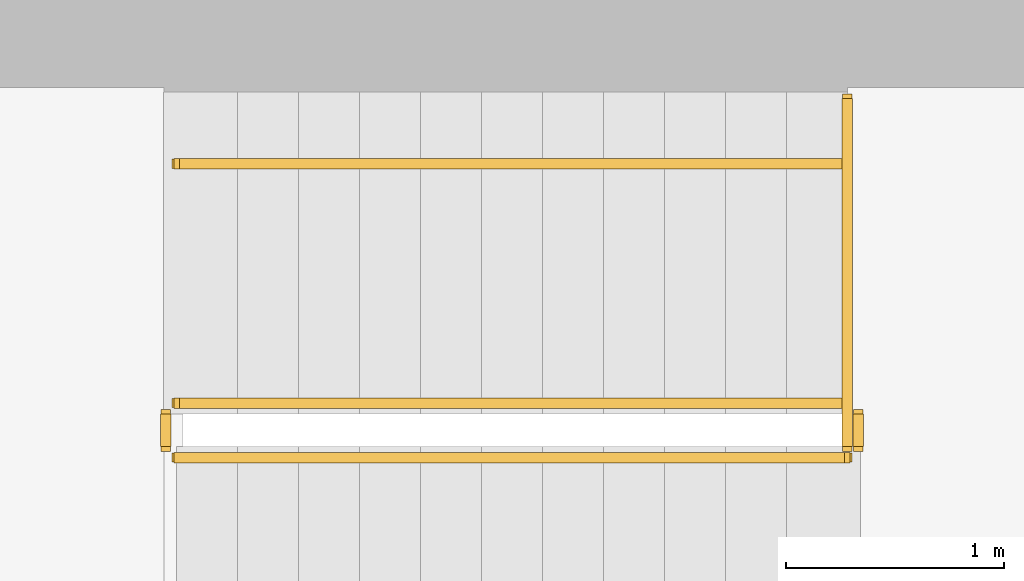
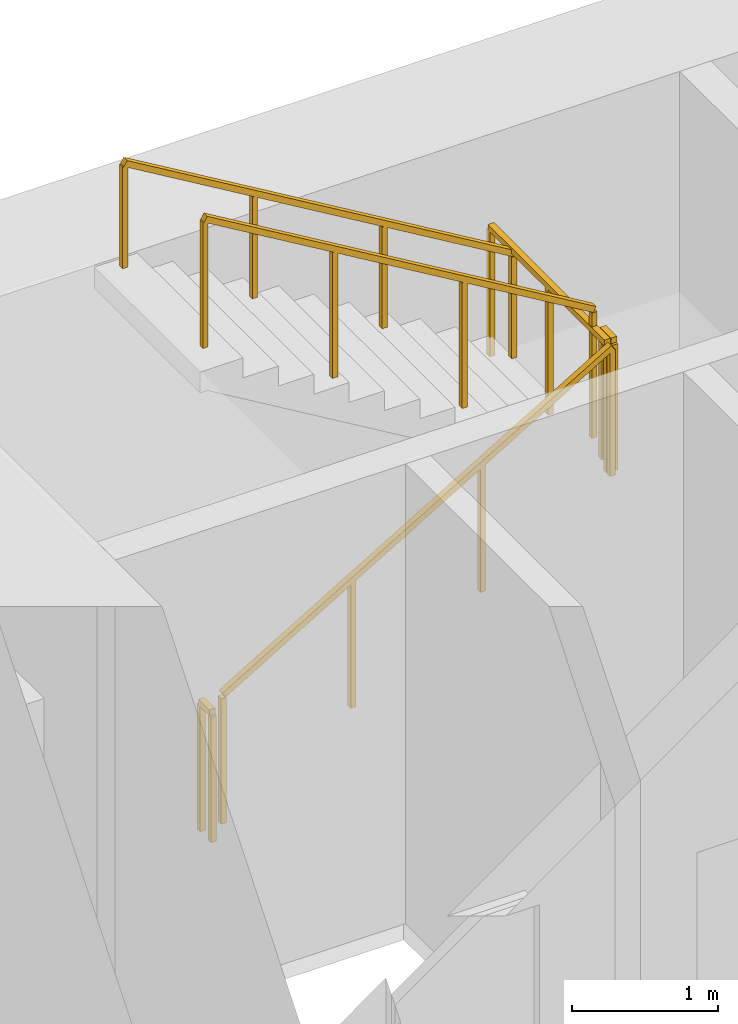
# One storey, part 16 of 17: 6 railings.
"""IFC4 building model written with IfcOpenShell, lengths in metres."""

from ifc_helpers import new_model, si_unit, direction, frame, origin, origin_2d, place, context, subcontext, project, spatial, rectangle, extrude, material, type_object, element, save


model = new_model("IFC4")

# Units and contexts
model_context = context("Model", 3, precision=1e-05, world=origin(), true_north=direction((0.0, 1.0)))
body_context = subcontext(model_context, "Body", "Model", "MODEL_VIEW")
ifc_project = project(units=[si_unit("LENGTHUNIT", "METRE"), si_unit("AREAUNIT", "SQUARE_METRE"), si_unit("VOLUMEUNIT", "CUBIC_METRE"), si_unit("PLANEANGLEUNIT", "RADIAN"), si_unit("MASSUNIT", "GRAM", prefix="KILO")], contexts=[model_context])

# Site, building, storey
site_placement = place(None, origin())
site = spatial("IfcSite", under=ifc_project, at=site_placement, CompositionType="ELEMENT")
building_placement = place(site_placement, origin())
building = spatial("IfcBuilding", under=site, at=building_placement, Name="Sennacour Bend Tower", CompositionType="ELEMENT")
storey_placement = place(building_placement, frame((0.0, 0.0, 203.0)))
storey = spatial("IfcBuildingStorey", under=building, at=storey_placement, Name="L46", CompositionType="ELEMENT", Elevation=203.0)

# Railings
ifc_material = material(Name="Stainless steel", Category="steel")
railing_type_1 = type_object("IfcRailingType", Name="RL-GUARD-1100", PredefinedType="GUARDRAIL", material=ifc_material)
railing_1_placement = place(storey_placement, frame((56.699951171875, 19.85009765625, 0.166748046875)))
element("IfcRailing", 1, at=railing_1_placement, inside=storey, type_object=railing_type_1, Name="L46 SA2 stair guard 1", PredefinedType="GUARDRAIL", context=body_context, shape_type="SweptSolid", body=[
    extrude(rectangle(XDim=0.048095703125, YDim=0.048095703125, at=origin_2d()), frame((0.0, 0.0, 1.076171875), z_axis=(0.859308565015, 0.0, 0.511457515432), x_axis=(0.0, 1.0, 0.0)), (0.0, 0.0, 1.0), 3.58447265625),
    extrude(rectangle(XDim=0.0419921875, YDim=0.0419921875, at=origin_2d()), origin(), (0.0, 0.0, 1.0), 1.052001953125),
    extrude(rectangle(XDim=0.0419921875, YDim=0.0419921875, at=origin_2d()), frame((1.026611328125, 0.0, 0.611083984375)), (0.0, 0.0, 1.0), 1.052001953125),
    extrude(rectangle(XDim=0.0419921875, YDim=0.0419921875, at=origin_2d()), frame((2.053466796875, 0.0, 1.22216796875)), (0.0, 0.0, 1.0), 1.052001953125),
    extrude(rectangle(XDim=0.0419921875, YDim=0.0419921875, at=origin_2d()), frame((3.080078125, 0.0, 1.833251953125)), (0.0, 0.0, 1.0), 1.052001953125),
])
railing_2_placement = place(storey_placement, frame((59.830078125, 19.89990234375, 2.0)))
element("IfcRailing", 2, at=railing_2_placement, inside=storey, type_object=railing_type_1, Name="L46 SA2 stair guard 2", PredefinedType="GUARDRAIL", context=body_context, shape_type="SweptSolid", body=[
    extrude(rectangle(XDim=0.048095703125, YDim=0.048095703125, at=origin_2d()), frame((0.0, 0.0, 1.076171875), z_axis=(0.0, 1.0, 0.0), x_axis=(-1.0, 0.0, 0.0)), (0.0, 0.0, 1.0), 0.150146484375),
    extrude(rectangle(XDim=0.0419921875, YDim=0.0419921875, at=origin_2d()), origin(), (0.0, 0.0, 1.0), 1.052001953125),
    extrude(rectangle(XDim=0.0419921875, YDim=0.0419921875, at=origin_2d()), frame((0.0, 0.150146484375, 0.0)), (0.0, 0.0, 1.0), 1.052001953125),
])
railing_3_placement = place(storey_placement, frame((59.780029296875, 20.10009765625, 2.166748046875)))
element("IfcRailing", 3, at=railing_3_placement, inside=storey, type_object=railing_type_1, Name="L46 SA2 stair guard 4", PredefinedType="GUARDRAIL", context=body_context, shape_type="SweptSolid", body=[
    extrude(rectangle(XDim=0.048095703125, YDim=0.048095703125, at=origin_2d()), frame((0.0, 0.0, 1.076171875), z_axis=(-0.859308565015, 0.0, 0.511457515432), x_axis=(0.0, -1.0, 0.0)), (0.0, 0.0, 1.0), 3.58447265625),
    extrude(rectangle(XDim=0.0419921875, YDim=0.0419921875, at=origin_2d()), origin(), (0.0, 0.0, 1.0), 1.052001953125),
    extrude(rectangle(XDim=0.0419921875, YDim=0.0419921875, at=origin_2d()), frame((-1.026611328125, 0.0, 0.611083984375)), (0.0, 0.0, 1.0), 1.052001953125),
    extrude(rectangle(XDim=0.0419921875, YDim=0.0419921875, at=origin_2d()), frame((-2.053466796875, 0.0, 1.22216796875)), (0.0, 0.0, 1.0), 1.052001953125),
    extrude(rectangle(XDim=0.0419921875, YDim=0.0419921875, at=origin_2d()), frame((-3.080078125, 0.0, 1.833251953125)), (0.0, 0.0, 1.0), 1.052001953125),
])
railing_4_placement = place(storey_placement, frame((56.64990234375, 19.89990234375, 0.0)))
element("IfcRailing", 4, at=railing_4_placement, inside=storey, type_object=railing_type_1, Name="L46 SA2 stair guard 5", PredefinedType="GUARDRAIL", context=body_context, shape_type="SweptSolid", body=[
    extrude(rectangle(XDim=0.048095703125, YDim=0.048095703125, at=origin_2d()), frame((0.0, 0.0, 1.076171875), z_axis=(0.0, 1.0, 0.0), x_axis=(-1.0, 0.0, 0.0)), (0.0, 0.0, 1.0), 0.150146484375),
    extrude(rectangle(XDim=0.0419921875, YDim=0.0419921875, at=origin_2d()), origin(), (0.0, 0.0, 1.0), 1.052001953125),
    extrude(rectangle(XDim=0.0419921875, YDim=0.0419921875, at=origin_2d()), frame((0.0, 0.150146484375, 0.0)), (0.0, 0.0, 1.0), 1.052001953125),
])
railing_5_placement = place(storey_placement, frame((59.780029296875, 19.89990234375, 2.0)))
element("IfcRailing", 5, at=railing_5_placement, inside=storey, type_object=railing_type_1, Name="L46 SA2 landing edge guard 63", PredefinedType="GUARDRAIL", context=body_context, shape_type="SweptSolid", body=[
    extrude(rectangle(XDim=0.048095703125, YDim=0.048095703125, at=origin_2d()), frame((0.0, 0.0, 1.076171875), z_axis=(0.0, 1.0, 0.0), x_axis=(-1.0, 0.0, 0.0)), (0.0, 0.0, 1.0), 1.60009765625),
    extrude(rectangle(XDim=0.0419921875, YDim=0.0419921875, at=origin_2d()), origin(), (0.0, 0.0, 1.0), 1.052001953125),
    extrude(rectangle(XDim=0.0419921875, YDim=0.0419921875, at=origin_2d()), frame((0.0, 0.800048828125, 0.0)), (0.0, 0.0, 1.0), 1.052001953125),
    extrude(rectangle(XDim=0.0419921875, YDim=0.0419921875, at=origin_2d()), frame((0.0, 1.60009765625, 0.0)), (0.0, 0.0, 1.0), 1.052001953125),
])
railing_type_2 = type_object("IfcRailingType", Name="RL-HANDRAIL-900", PredefinedType="HANDRAIL", material=ifc_material)
railing_6_placement = place(storey_placement, frame((59.780029296875, 21.199951171875, 2.166748046875)))
element("IfcRailing", 6, at=railing_6_placement, inside=storey, type_object=railing_type_2, Name="L46 SA2 stair handrail 2", PredefinedType="HANDRAIL", context=body_context, shape_type="SweptSolid", body=[
    extrude(rectangle(XDim=0.048095703125, YDim=0.048095703125, at=origin_2d()), frame((0.0, 0.0, 0.8759765625), z_axis=(-0.859308565015, 0.0, 0.511457515432), x_axis=(0.0, -1.0, 0.0)), (0.0, 0.0, 1.0), 3.58447265625),
    extrude(rectangle(XDim=0.0419921875, YDim=0.0419921875, at=origin_2d()), origin(), (0.0, 0.0, 1.0), 0.851806640625),
    extrude(rectangle(XDim=0.0419921875, YDim=0.0419921875, at=origin_2d()), frame((-1.026611328125, 0.0, 0.611083984375)), (0.0, 0.0, 1.0), 0.851806640625),
    extrude(rectangle(XDim=0.0419921875, YDim=0.0419921875, at=origin_2d()), frame((-2.053466796875, 0.0, 1.22216796875)), (0.0, 0.0, 1.0), 0.851806640625),
    extrude(rectangle(XDim=0.0419921875, YDim=0.0419921875, at=origin_2d()), frame((-3.080078125, 0.0, 1.833251953125)), (0.0, 0.0, 1.0), 0.851806640625),
])

save(model, "model.ifc")
